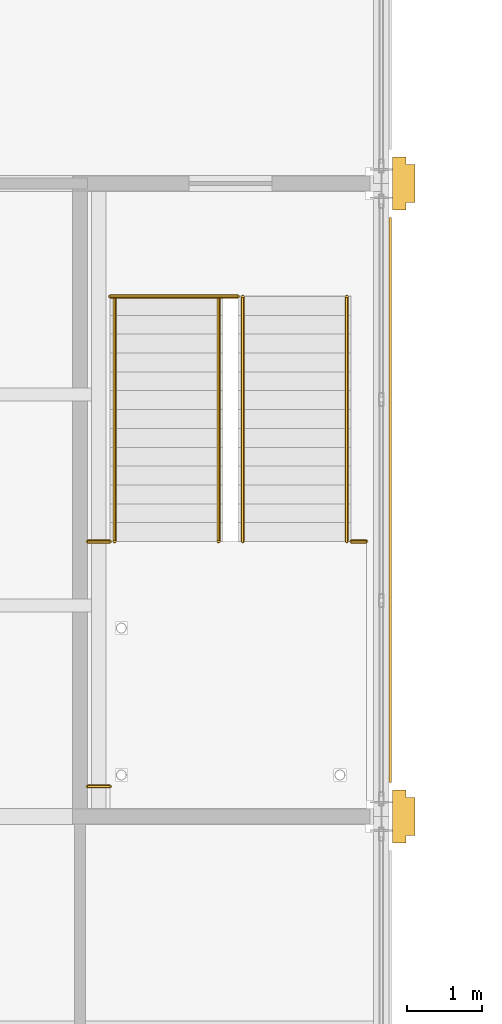
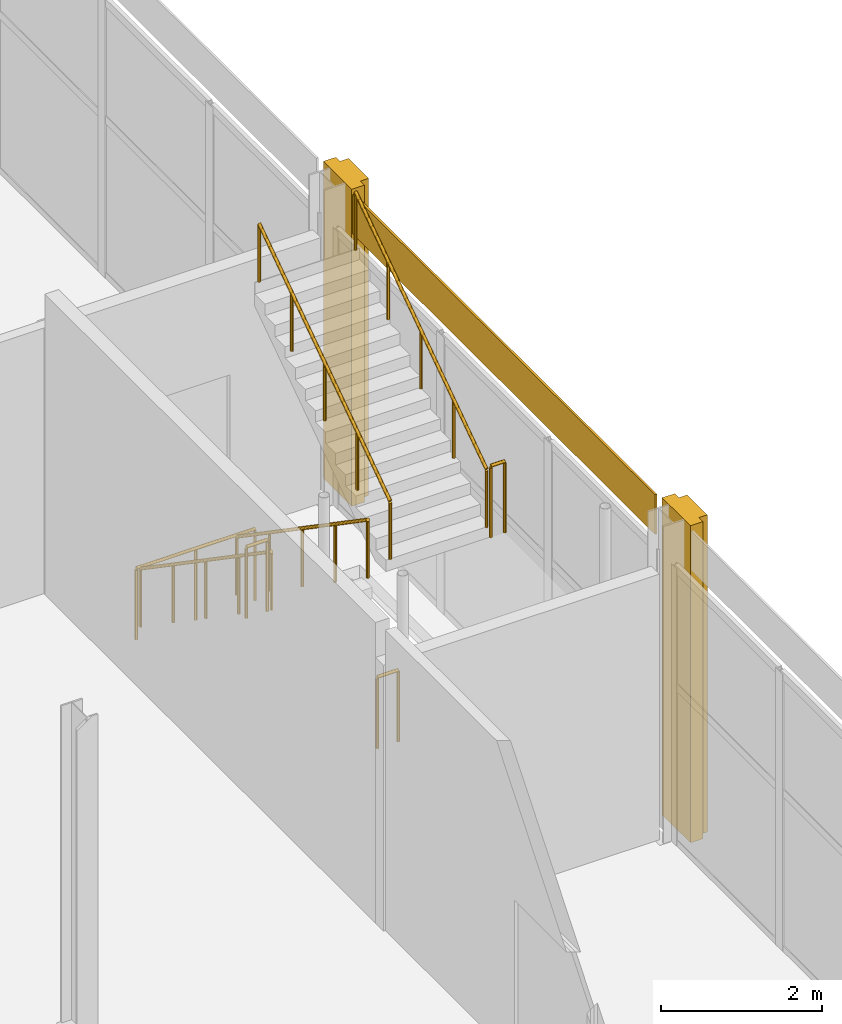
# One storey, part 165 of 167: 8 railings, 3 coverings.
"""IFC4 building model written with IfcOpenShell, lengths in metres."""

from ifc_helpers import new_model, si_unit, direction, frame, origin, origin_2d, place, context, subcontext, project, spatial, polyline, rectangle, circle, outline, extrude, material, layer, layer_set, type_object, element, save


model = new_model("IFC4")

# Units and contexts
model_context = context("Model", 3, precision=1e-05, world=origin(), true_north=direction((0.0, 1.0)))
body_context = subcontext(model_context, "Body", "Model", "MODEL_VIEW")
ifc_project = project(units=[si_unit("LENGTHUNIT", "METRE"), si_unit("AREAUNIT", "SQUARE_METRE"), si_unit("VOLUMEUNIT", "CUBIC_METRE"), si_unit("PLANEANGLEUNIT", "RADIAN"), si_unit("MASSUNIT", "GRAM", prefix="KILO")], contexts=[model_context])

# Site, building, storey
site_placement = place(None, origin())
site = spatial("IfcSite", under=ifc_project, at=site_placement, CompositionType="ELEMENT")
building_placement = place(site_placement, origin())
building = spatial("IfcBuilding", under=site, at=building_placement, Name="Catenary Quay Ferry Terminal", CompositionType="ELEMENT")
storey_placement = place(building_placement, frame((0.0, 0.0, 6.0)))
storey = spatial("IfcBuildingStorey", under=building, at=storey_placement, Name="L01", CompositionType="ELEMENT", Elevation=6.0)

# Coverings
ifc_material_1 = material(Name="Ceramic tile")
ifc_layer_1 = layer(ifc_material_1, 0.0400390625)
ifc_layer_set_1 = layer_set([ifc_layer_1], Name="CL2")
covering_type_1 = type_object("IfcCoveringType", Name="CL2", PredefinedType="CLADDING", material=ifc_layer_set_1)
covering_1_placement = place(storey_placement, origin())
element("IfcCovering", 1, at=covering_1_placement, inside=storey, type_object=covering_type_1, Name="Ceramic pier casing", PredefinedType="CLADDING", context=body_context, shape_type="SweptSolid", body=[
    extrude(outline(polyline([(67.35009765625, 167.64990234375), (67.530029296875, 167.64990234375), (67.530029296875, 167.75), (67.64990234375, 167.75), (67.64990234375, 168.25), (67.530029296875, 168.25), (67.530029296875, 168.35009765625), (67.35009765625, 168.35009765625), (67.35009765625, 167.64990234375)])), origin(), (0.0, 0.0, 1.0), 4.800048828125),
])
covering_2_placement = place(storey_placement, origin())
element("IfcCovering", 2, at=covering_2_placement, inside=storey, type_object=covering_type_1, Name="Ceramic pier casing", PredefinedType="CLADDING", context=body_context, shape_type="SweptSolid", body=[
    extrude(outline(polyline([(67.35009765625, 176.050048828125), (67.530029296875, 176.050048828125), (67.530029296875, 176.14990234375), (67.64990234375, 176.14990234375), (67.64990234375, 176.64990234375), (67.530029296875, 176.64990234375), (67.530029296875, 176.75), (67.35009765625, 176.75), (67.35009765625, 176.050048828125)])), origin(), (0.0, 0.0, 1.0), 4.800048828125),
])
ifc_material_2 = material(Name="Glazed ceramic tile, ochre")
ifc_layer_2 = layer(ifc_material_2, 0.030029296875)
ifc_layer_set_2 = layer_set([ifc_layer_2], Name="CL6")
covering_type_2 = type_object("IfcCoveringType", Name="CL6", PredefinedType="CLADDING", material=ifc_layer_set_2)
covering_3_placement = place(storey_placement, frame((67.3193359375, 172.199951171875, 4.199951171875), z_axis=(0.0, 0.0, 1.0), x_axis=(1.0, 0.0, 0.0)))
element("IfcCovering", 3, at=covering_3_placement, inside=storey, type_object=covering_type_2, Name="Band wing v67.2 cladding CV307", PredefinedType="CLADDING", context=body_context, shape_type="SweptSolid", body=[
    extrude(rectangle(XDim=0.030029296875, YDim=7.5, at=origin_2d()), origin(), (0.0, 0.0, 1.0), 0.60009765625),
])

# Railings
ifc_material_3 = material(Name="Steel and glass", Category="steel")
railing_type_1 = type_object("IfcRailingType", Name="GI1", PredefinedType="GUARDRAIL", material=ifc_material_3)
railing_1_placement = place(storey_placement, frame((63.60009765625, 174.89990234375, 0.0)))
element("IfcRailing", 4, at=railing_1_placement, inside=storey, type_object=railing_type_1, Name="HS3 well guard GI179", PredefinedType="GUARDRAIL", context=body_context, shape_type="SweptSolid", body=[
    extrude(circle(Radius=0.02392578125, at=origin_2d()), frame((0.0, 0.0, 1.076171875), z_axis=(1.0, 0.0, 0.0), x_axis=(0.0, 1.0, 0.0)), (0.0, 0.0, 1.0), 1.699951171875),
    extrude(circle(Radius=0.02099609375, at=origin_2d()), origin(), (0.0, 0.0, 1.0), 1.052001953125),
    extrude(circle(Radius=0.02099609375, at=origin_2d()), frame((0.85009765625, 0.0, 0.0)), (0.0, 0.0, 1.0), 1.052001953125),
    extrude(circle(Radius=0.02099609375, at=origin_2d()), frame((1.699951171875, 0.0, 0.0)), (0.0, 0.0, 1.0), 1.052001953125),
])
railing_2_placement = place(storey_placement, frame((63.300048828125, 171.64990234375, 2.39990234375)))
element("IfcRailing", 5, at=railing_2_placement, inside=storey, type_object=railing_type_1, Name="HS3 strip 0 guard GI192", PredefinedType="GUARDRAIL", context=body_context, shape_type="SweptSolid", body=[
    extrude(circle(Radius=0.02392578125, at=origin_2d()), frame((0.0, 0.0, 1.076171875), z_axis=(1.0, 0.0, 0.0), x_axis=(0.0, 1.0, 0.0)), (0.0, 0.0, 1.0), 0.2998046875),
    extrude(circle(Radius=0.02099609375, at=origin_2d()), origin(), (0.0, 0.0, 1.0), 1.052001953125),
    extrude(circle(Radius=0.02099609375, at=origin_2d()), frame((0.2998046875, 0.0, 0.0)), (0.0, 0.0, 1.0), 1.052001953125),
])
railing_3_placement = place(storey_placement, frame((63.599853515625, 168.39990234375, 2.39990234375)))
element("IfcRailing", 6, at=railing_3_placement, inside=storey, type_object=railing_type_1, Name="HS3 strip 0 guard GI193", PredefinedType="GUARDRAIL", context=body_context, shape_type="SweptSolid", body=[
    extrude(circle(Radius=0.02392578125, at=origin_2d()), frame((0.0, 0.0, 1.076171875), z_axis=(-1.0, 0.0, 0.0), x_axis=(0.0, -1.0, 0.0)), (0.0, 0.0, 1.0), 0.2998046875),
    extrude(circle(Radius=0.02099609375, at=origin_2d()), origin(), (0.0, 0.0, 1.0), 1.052001953125),
    extrude(circle(Radius=0.02099609375, at=origin_2d()), frame((-0.2998046875, 0.0, 0.0)), (0.0, 0.0, 1.0), 1.052001953125),
])
railing_4_placement = place(storey_placement, frame((66.800048828125, 171.64990234375, 2.39990234375)))
element("IfcRailing", 7, at=railing_4_placement, inside=storey, type_object=railing_type_1, Name="HS3 strip 0 guard GI194", PredefinedType="GUARDRAIL", context=body_context, shape_type="SweptSolid", body=[
    extrude(circle(Radius=0.02392578125, at=origin_2d()), frame((0.0, 0.0, 1.076171875), z_axis=(1.0, 0.0, 0.0), x_axis=(0.0, 1.0, 0.0)), (0.0, 0.0, 1.0), 0.199951171875),
    extrude(circle(Radius=0.02099609375, at=origin_2d()), origin(), (0.0, 0.0, 1.0), 1.052001953125),
    extrude(circle(Radius=0.02099609375, at=origin_2d()), frame((0.199951171875, 0.0, 0.0)), (0.0, 0.0, 1.0), 1.052001953125),
])
ifc_material_4 = material(Name="Stainless steel", Category="steel")
railing_type_2 = type_object("IfcRailingType", Name="HR1", PredefinedType="HANDRAIL", material=ifc_material_4)
for number, where, name in (
    (8, (63.659912109375, 174.89990234375, 0.17138671875), "HS3 F1A handrail HR187"),
    (9, (65.0400390625, 174.89990234375, 0.17138671875), "HS3 F1B handrail HR188"),
):
    element("IfcRailing", number, at=place(storey_placement, frame(where)), inside=storey, type_object=railing_type_2, Name=name, PredefinedType="HANDRAIL", context=body_context, shape_type="SweptSolid", body=[
        extrude(circle(Radius=0.02392578125, at=origin_2d()), frame((0.0, 0.0, 0.8759765625), z_axis=(0.0, -0.824735456578, 0.565518723531), x_axis=(1.0, 0.0, 0.0)), (0.0, 0.0, 1.0), 3.940673828125),
        extrude(circle(Radius=0.02099609375, at=origin_2d()), origin(), (0.0, 0.0, 1.0), 0.851806640625),
        extrude(circle(Radius=0.02099609375, at=origin_2d()), frame((0.0, -0.8125, 0.55712890625)), (0.0, 0.0, 1.0), 0.851806640625),
        extrude(circle(Radius=0.02099609375, at=origin_2d()), frame((0.0, -1.625, 1.1142578125)), (0.0, 0.0, 1.0), 0.851806640625),
        extrude(circle(Radius=0.02099609375, at=origin_2d()), frame((0.0, -2.4375, 1.67138671875)), (0.0, 0.0, 1.0), 0.851806640625),
        extrude(circle(Radius=0.02099609375, at=origin_2d()), frame((0.0, -3.25, 2.228515625)), (0.0, 0.0, 1.0), 0.851806640625),
    ])
for number, where, name in (
    (10, (65.360107421875, 171.64990234375, 2.571533203125), "HS3 F2A handrail HR189"),
    (11, (66.739990234375, 171.64990234375, 2.571533203125), "HS3 F2B handrail HR190"),
):
    element("IfcRailing", number, at=place(storey_placement, frame(where)), inside=storey, type_object=railing_type_2, Name=name, PredefinedType="HANDRAIL", context=body_context, shape_type="SweptSolid", body=[
        extrude(circle(Radius=0.02392578125, at=origin_2d()), frame((0.0, 0.0, 0.8759765625), z_axis=(0.0, 0.824735456578, 0.565518723531), x_axis=(-1.0, 0.0, 0.0)), (0.0, 0.0, 1.0), 3.940673828125),
        extrude(circle(Radius=0.02099609375, at=origin_2d()), origin(), (0.0, 0.0, 1.0), 0.851806640625),
        extrude(circle(Radius=0.02099609375, at=origin_2d()), frame((0.0, 0.8125, 0.55712890625)), (0.0, 0.0, 1.0), 0.851806640625),
        extrude(circle(Radius=0.02099609375, at=origin_2d()), frame((0.0, 1.625, 1.1142578125)), (0.0, 0.0, 1.0), 0.851806640625),
        extrude(circle(Radius=0.02099609375, at=origin_2d()), frame((0.0, 2.4375, 1.67138671875)), (0.0, 0.0, 1.0), 0.851806640625),
        extrude(circle(Radius=0.02099609375, at=origin_2d()), frame((0.0, 3.25, 2.228515625)), (0.0, 0.0, 1.0), 0.851806640625),
    ])

save(model, "model.ifc")
